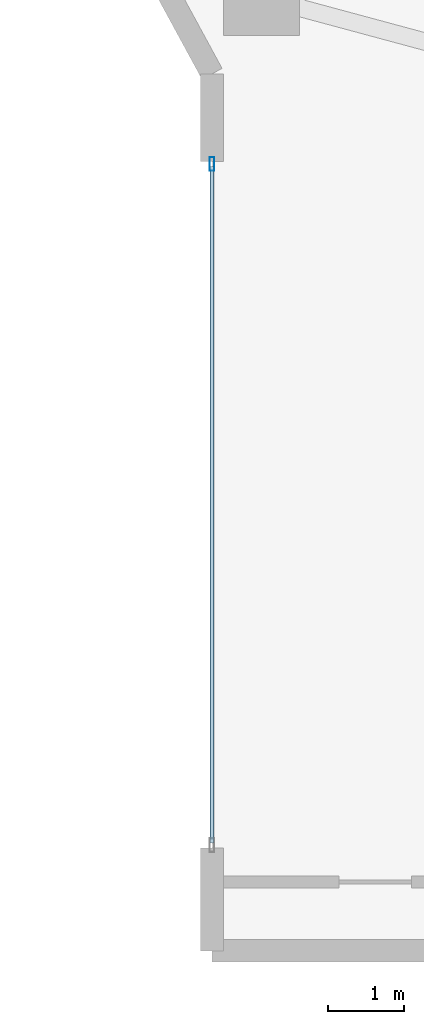
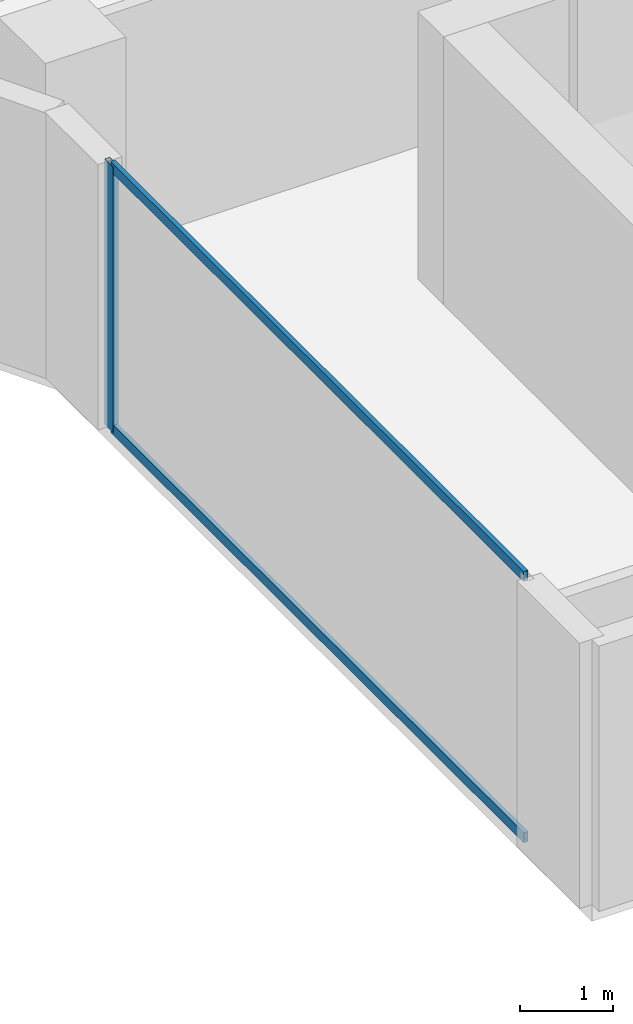
# One storey, part 3 of 23: 3 members, 1 element without a shape of its own.
"""IFC4 building model written with IfcOpenShell, lengths in metres."""

from ifc_helpers import new_model, si_unit, direction, frame, origin, origin_2d, place, context, subcontext, project, spatial, hollow_rectangle, extrude, material, layer, layer_set, material_profile, profile_set, type_object, element, aggregate, save


model = new_model("IFC4")

# Units and contexts
model_context = context("Model", 3, precision=1e-05, world=origin(), true_north=direction((0.0, 1.0)))
body_context = subcontext(model_context, "Body", "Model", "MODEL_VIEW")
ifc_project = project(units=[si_unit("LENGTHUNIT", "METRE"), si_unit("AREAUNIT", "SQUARE_METRE"), si_unit("VOLUMEUNIT", "CUBIC_METRE"), si_unit("PLANEANGLEUNIT", "RADIAN"), si_unit("MASSUNIT", "GRAM", prefix="KILO")], contexts=[model_context])

# Site, building, storey
site_placement = place(None, origin())
site = spatial("IfcSite", under=ifc_project, at=site_placement, CompositionType="ELEMENT")
building_placement = place(site_placement, origin())
building = spatial("IfcBuilding", under=site, at=building_placement, Name="Zuhayl Quay Hotel", CompositionType="ELEMENT")
storey_placement = place(building_placement, frame((0.0, 0.0, 265.550048828125)))
storey = spatial("IfcBuildingStorey", under=building, at=storey_placement, Name="L67", CompositionType="ELEMENT", Elevation=265.550048828125)

# Curtain wall, members
ifc_material_1 = material(Name="Anodised Aluminium 6063-T6", Category="aluminium")
ifc_layer = layer(ifc_material_1, 0.169921875, Name="Anodised Aluminium 6063-T6", Category="aluminium")
ifc_layer_set = layer_set([ifc_layer], Name="Anodised Aluminium 6063-T6")
curtain_wall_type = type_object("IfcCurtainWallType", Name="CW_SYS_Z4", PredefinedType="USERDEFINED", material=ifc_layer_set)
curtain_wall_placement = place(storey_placement, origin())
curtain_wall = element("IfcCurtainWall", 1, at=curtain_wall_placement, inside=storey, type_object=curtain_wall_type, Name="L67 Curtain Wall ENV_L67_E02_CW1", ObjectType="UNITISED CURTAIN WALL", PredefinedType="USERDEFINED")
ifc_material_2 = material(Name="Black-anodised aluminium 6063-T6", Category="aluminium")
ifc_material_profile_1 = material_profile(ifc_material_2, hollow_rectangle(XDim=0.06494140625, YDim=0.179931640625, WallThickness=0.00341796875, at=origin_2d()), Name="ALU180X65")
ifc_profile_set_1 = profile_set([ifc_material_profile_1], Name="Black-anodised aluminium 6063-T6")
member_type_1 = type_object("IfcMemberType", Name="MB_CW_MUL_180", PredefinedType="MULLION", material=ifc_profile_set_1)
member_1_placement = place(storey_placement, frame((-20.199951171875, 13.717529296875, 0.0), z_axis=(0.0, 0.0, 1.0), x_axis=(-1.0, 0.0, 0.0)))
member_1 = element("IfcMember", 2, at=member_1_placement, type_object=member_type_1, Name="CW-Z4 mullion 2", PredefinedType="MULLION", context=body_context, shape_type="SweptSolid", body=[
    extrude(hollow_rectangle(XDim=0.06494140625, YDim=0.179931640625, WallThickness=0.00341796875, at=origin_2d()), origin(), (0.0, 0.0, 1.0), 3.47998046875),
])
ifc_material_profile_2 = material_profile(ifc_material_2, hollow_rectangle(XDim=0.054931640625, YDim=0.1298828125, WallThickness=0.0029296875, at=origin_2d()), Name="ALU130X55")
ifc_profile_set_2 = profile_set([ifc_material_profile_2], Name="Black-anodised aluminium 6063-T6")
member_type_2 = type_object("IfcMemberType", Name="MB_CW_TRN_130", PredefinedType="USERDEFINED", material=ifc_profile_set_2)
member_2_placement = place(storey_placement, frame((-20.199951171875, 4.81494140625, 0.02734375), z_axis=(0.0, 1.0, 0.0), x_axis=(-1.0, 0.0, 0.0)))
member_2 = element("IfcMember", 3, at=member_2_placement, type_object=member_type_2, Name="CW-Z4 transom 1.1", ObjectType="TRANSOM", PredefinedType="USERDEFINED", context=body_context, shape_type="SweptSolid", body=[
    extrude(hollow_rectangle(XDim=0.054931640625, YDim=0.1298828125, WallThickness=0.0029296875, at=origin_2d()), origin(), (0.0, 0.0, 1.0), 8.8701171875),
])
member_3_placement = place(storey_placement, frame((-20.199951171875, 4.81494140625, 3.452392578125), z_axis=(0.0, 1.0, 0.0), x_axis=(-1.0, 0.0, 0.0)))
member_3 = element("IfcMember", 4, at=member_3_placement, type_object=member_type_2, Name="CW-Z4 transom 1.2", ObjectType="TRANSOM", PredefinedType="USERDEFINED", context=body_context, shape_type="SweptSolid", body=[
    extrude(hollow_rectangle(XDim=0.054931640625, YDim=0.1298828125, WallThickness=0.0029296875, at=origin_2d()), origin(), (0.0, 0.0, 1.0), 8.8701171875),
])
aggregate(curtain_wall, [member_1, member_2, member_3])

save(model, "model.ifc")
